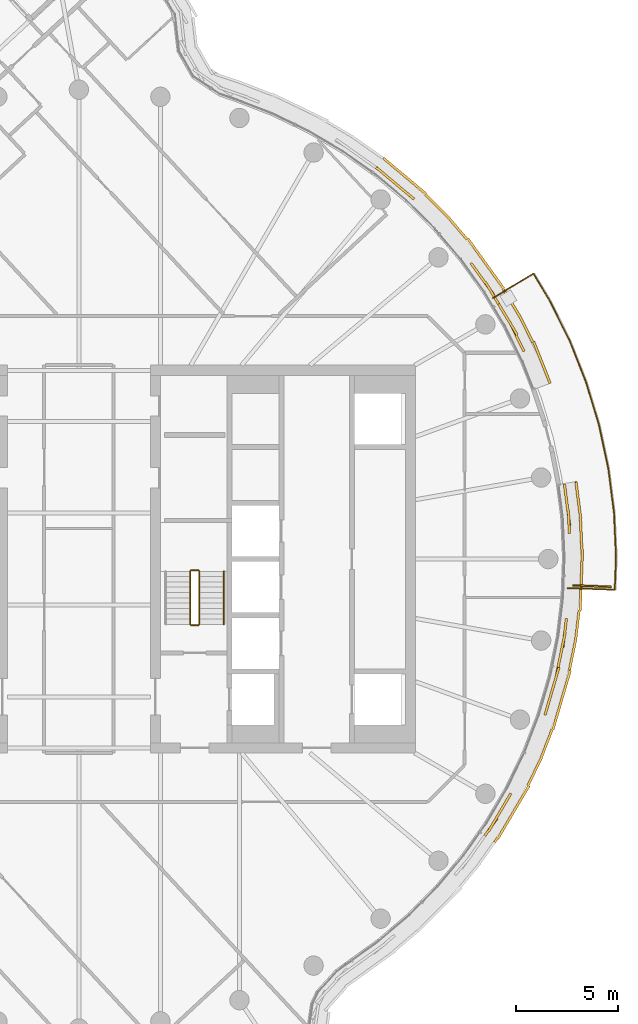
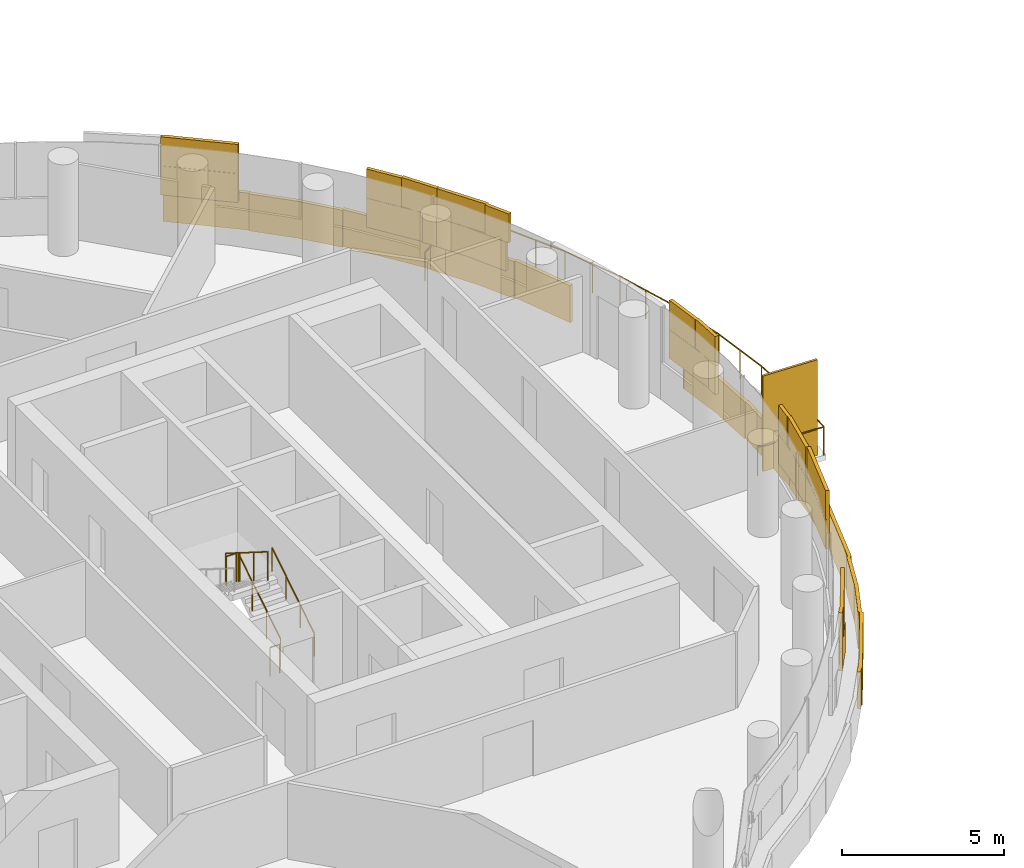
# One storey, part 31 of 34: 6 railings, 4 coverings, 1 shading device.
"""IFC4 building model written with IfcOpenShell, lengths in metres."""

from ifc_helpers import new_model, si_unit, direction, frame, origin, origin_2d, place, context, subcontext, project, spatial, rectangle, circle, extrude, material, layer, layer_set, type_object, element, save


model = new_model("IFC4")

# Units and contexts
model_context = context("Model", 3, precision=1e-05, world=origin(), true_north=direction((0.0, 1.0)))
body_context = subcontext(model_context, "Body", "Model", "MODEL_VIEW")
ifc_project = project(units=[si_unit("LENGTHUNIT", "METRE"), si_unit("AREAUNIT", "SQUARE_METRE"), si_unit("VOLUMEUNIT", "CUBIC_METRE"), si_unit("PLANEANGLEUNIT", "RADIAN"), si_unit("MASSUNIT", "GRAM", prefix="KILO")], contexts=[model_context])

# Site, building, storey
site_placement = place(None, origin())
site = spatial("IfcSite", under=ifc_project, at=site_placement, CompositionType="ELEMENT")
building_placement = place(site_placement, origin())
building = spatial("IfcBuilding", under=site, at=building_placement, Name="Tamarind Cross Interchange Tower", CompositionType="ELEMENT")
storey_placement = place(building_placement, frame((0.0, 0.0, 189.699951171875)))
storey = spatial("IfcBuildingStorey", under=building, at=storey_placement, Name="L47", CompositionType="ELEMENT", Elevation=189.699951171875)

# Railing
ifc_material_1 = material(Name="Stainless steel and laminated glass", Category="steel")
railing_type_1 = type_object("IfcRailingType", Name="Balcony guard", PredefinedType="BALUSTRADE", material=ifc_material_1)
railing_1_placement = place(storey_placement, frame((23.939208984375, -1.41943359375, 0.0)))
element("IfcRailing", 1, at=railing_1_placement, inside=storey, type_object=railing_type_1, Name="Balcony guard 02", PredefinedType="BALUSTRADE", context=body_context, shape_type="SweptSolid", body=[
    extrude(circle(Radius=0.02490234375, at=origin_2d()), frame((0.0, 0.0, 1.0751953125), z_axis=(0.999313824397, -0.037038903463, 0.0), x_axis=(0.037038903463, 0.999313824397, 0.0)), (0.0, 0.0, 1.0), 2.3203125),
    extrude(circle(Radius=0.02490234375, at=origin_2d()), frame((2.318603515625, -0.0859375, 1.0751953125), z_axis=(0.036928038041, 0.999317927392, 0.0), x_axis=(-0.999317927392, 0.036928038041, 0.0)), (0.0, 0.0, 1.0), 1.619873046875),
    extrude(circle(Radius=0.02490234375, at=origin_2d()), frame((2.37841796875, 1.53271484375, 1.0751953125), z_axis=(-0.045570585979, 0.998961121212, 0.0), x_axis=(-0.998961121212, -0.045570585979, 0.0)), (0.0, 0.0, 1.0), 2.175048828125),
    extrude(circle(Radius=0.02490234375, at=origin_2d()), frame((2.279296875, 3.70556640625, 1.0751953125), z_axis=(-0.127957091824, 0.991779704699, 0.0), x_axis=(-0.991779704699, -0.127957091824, 0.0)), (0.0, 0.0, 1.0), 2.175048828125),
    extrude(circle(Radius=0.02490234375, at=origin_2d()), frame((2.0009765625, 5.86279296875, 1.0751953125), z_axis=(-0.209437106955, 0.977822119933, 0.0), x_axis=(-0.977822119933, -0.209437106955, 0.0)), (0.0, 0.0, 1.0), 2.17529296875),
    extrude(circle(Radius=0.02490234375, at=origin_2d()), frame((1.54541015625, 7.98974609375, 1.0751953125), z_axis=(-0.289468424656, 0.957187563191, 0.0), x_axis=(-0.957187563191, -0.289468424656, 0.0)), (0.0, 0.0, 1.0), 2.175048828125),
    extrude(circle(Radius=0.02490234375, at=origin_2d()), frame((0.915771484375, 10.07177734375, 1.0751953125), z_axis=(-0.367439931593, 0.930047255074, 0.0), x_axis=(-0.930047255074, -0.367439931593, 0.0)), (0.0, 0.0, 1.0), 2.17529296875),
    extrude(circle(Radius=0.02490234375, at=origin_2d()), frame((0.116455078125, 12.094970703125, 1.0751953125), z_axis=(-0.443123395184, 0.896460627491, 0.0), x_axis=(-0.896460627491, -0.443123395184, 0.0)), (0.0, 0.0, 1.0), 2.175048828125),
    extrude(circle(Radius=0.02490234375, at=origin_2d()), frame((-0.847412109375, 14.044921875, 1.0751953125), z_axis=(-0.515557480575, 0.856854996031, 0.0), x_axis=(-0.856854996031, -0.515557480575, 0.0)), (0.0, 0.0, 1.0), 1.5888671875),
    extrude(circle(Radius=0.02490234375, at=origin_2d()), frame((-1.66650390625, 15.40625, 1.0751953125), z_axis=(-0.856805053062, -0.515640476542, 0.0), x_axis=(0.515640476542, -0.856805053062, 0.0)), (0.0, 0.0, 1.0), 2.320068359375),
    extrude(circle(Radius=0.02001953125, at=origin_2d()), origin(), (0.0, 0.0, 1.0), 1.050048828125),
    extrude(circle(Radius=0.02001953125, at=origin_2d()), frame((1.1591796875, -0.04296875, 0.0)), (0.0, 0.0, 1.0), 1.050048828125),
    extrude(circle(Radius=0.02001953125, at=origin_2d()), frame((2.318603515625, -0.0859375, 0.0)), (0.0, 0.0, 1.0), 1.050048828125),
    extrude(circle(Radius=0.02001953125, at=origin_2d()), frame((2.3486328125, 0.723388671875, 0.0)), (0.0, 0.0, 1.0), 1.050048828125),
    extrude(circle(Radius=0.02001953125, at=origin_2d()), frame((2.37841796875, 1.53271484375, 0.0)), (0.0, 0.0, 1.0), 1.050048828125),
    extrude(circle(Radius=0.02001953125, at=origin_2d()), frame((2.328857421875, 2.619140625, 0.0)), (0.0, 0.0, 1.0), 1.050048828125),
    extrude(circle(Radius=0.02001953125, at=origin_2d()), frame((2.279296875, 3.70556640625, 0.0)), (0.0, 0.0, 1.0), 1.050048828125),
    extrude(circle(Radius=0.02001953125, at=origin_2d()), frame((2.14013671875, 4.7841796875, 0.0)), (0.0, 0.0, 1.0), 1.050048828125),
    extrude(circle(Radius=0.02001953125, at=origin_2d()), frame((2.0009765625, 5.86279296875, 0.0)), (0.0, 0.0, 1.0), 1.050048828125),
    extrude(circle(Radius=0.02001953125, at=origin_2d()), frame((1.773193359375, 6.92626953125, 0.0)), (0.0, 0.0, 1.0), 1.050048828125),
    extrude(circle(Radius=0.02001953125, at=origin_2d()), frame((1.54541015625, 7.98974609375, 0.0)), (0.0, 0.0, 1.0), 1.050048828125),
    extrude(circle(Radius=0.02001953125, at=origin_2d()), frame((1.23046875, 9.03076171875, 0.0)), (0.0, 0.0, 1.0), 1.050048828125),
    extrude(circle(Radius=0.02001953125, at=origin_2d()), frame((0.915771484375, 10.07177734375, 0.0)), (0.0, 0.0, 1.0), 1.050048828125),
    extrude(circle(Radius=0.02001953125, at=origin_2d()), frame((0.51611328125, 11.08349609375, 0.0)), (0.0, 0.0, 1.0), 1.050048828125),
    extrude(circle(Radius=0.02001953125, at=origin_2d()), frame((0.116455078125, 12.094970703125, 0.0)), (0.0, 0.0, 1.0), 1.050048828125),
    extrude(circle(Radius=0.02001953125, at=origin_2d()), frame((-0.365478515625, 13.06982421875, 0.0)), (0.0, 0.0, 1.0), 1.050048828125),
    extrude(circle(Radius=0.02001953125, at=origin_2d()), frame((-0.847412109375, 14.044921875, 0.0)), (0.0, 0.0, 1.0), 1.050048828125),
    extrude(circle(Radius=0.02001953125, at=origin_2d()), frame((-1.2568359375, 14.7255859375, 0.0)), (0.0, 0.0, 1.0), 1.050048828125),
    extrude(circle(Radius=0.02001953125, at=origin_2d()), frame((-1.66650390625, 15.40625, 0.0)), (0.0, 0.0, 1.0), 1.050048828125),
    extrude(circle(Radius=0.02001953125, at=origin_2d()), frame((-2.660400390625, 14.80810546875, 0.0)), (0.0, 0.0, 1.0), 1.050048828125),
    extrude(circle(Radius=0.02001953125, at=origin_2d()), frame((-3.654296875, 14.2099609375, 0.0)), (0.0, 0.0, 1.0), 1.050048828125),
])

# Shading device
ifc_material_2 = material(Name="Bronze-finish aluminium louvre", Category="aluminium")
ifc_layer_1 = layer(ifc_material_2, 0.080078125)
ifc_layer_set_1 = layer_set([ifc_layer_1], Name="Bronze-finish aluminium louvre")
shading_device_type = type_object("IfcShadingDeviceType", Name="Operable louvre bay", PredefinedType="JALOUSIE", material=ifc_layer_set_1)
shading_device_placement = place(storey_placement, origin())
element("IfcShadingDevice", 2, at=shading_device_placement, inside=storey, type_object=shading_device_type, Name="LVR-L47-BAL02", PredefinedType="JALOUSIE", context=body_context, shape_type="SweptSolid", body=[
    extrude(rectangle(XDim=1.89990234375, YDim=0.080078125, at=origin_2d()), frame((25.1435546875, -1.323974609375, 0.0), z_axis=(0.0, 0.0, 1.0), x_axis=(0.999314350871, -0.037024696392, 0.0)), (0.0, 0.0, 1.0), 3.60009765625),
])

# Railings
ifc_material_3 = material(Name="Stair guard")
railing_type_2 = type_object("IfcRailingType", Name="Stair guard", PredefinedType="GUARDRAIL", material=ifc_material_3)
railing_2_placement = place(storey_placement, frame((5.89990234375, -3.199951171875, 0.16357421875)))
element("IfcRailing", 3, at=railing_2_placement, inside=storey, type_object=railing_type_2, Name="L47 ST2 stair guard 1", PredefinedType="GUARDRAIL", context=body_context, shape_type="SweptSolid", body=[
    extrude(circle(Radius=0.02392578125, at=origin_2d()), frame((0.0, 0.0, 1.076171875), z_axis=(0.0, 0.846301844409, 0.532703658848), x_axis=(-1.0, 0.0, 0.0)), (0.0, 0.0, 1.0), 3.072021484375),
    extrude(circle(Radius=0.02099609375, at=origin_2d()), origin(), (0.0, 0.0, 1.0), 1.052001953125),
    extrude(circle(Radius=0.02099609375, at=origin_2d()), frame((0.0, 0.86669921875, 0.54541015625)), (0.0, 0.0, 1.0), 1.052001953125),
    extrude(circle(Radius=0.02099609375, at=origin_2d()), frame((0.0, 1.733154296875, 1.091064453125)), (0.0, 0.0, 1.0), 1.052001953125),
    extrude(circle(Radius=0.02099609375, at=origin_2d()), frame((0.0, 2.599853515625, 1.636474609375)), (0.0, 0.0, 1.0), 1.052001953125),
])
railing_3_placement = place(storey_placement, frame((5.85009765625, -0.550048828125, 1.800048828125)))
element("IfcRailing", 4, at=railing_3_placement, inside=storey, type_object=railing_type_2, Name="L47 ST2 stair guard 2", PredefinedType="GUARDRAIL", context=body_context, shape_type="SweptSolid", body=[
    extrude(circle(Radius=0.02392578125, at=origin_2d()), frame((0.0, 0.0, 1.076171875), z_axis=(-1.0, 0.0, 0.0), x_axis=(0.0, -1.0, 0.0)), (0.0, 0.0, 1.0), 0.35009765625),
    extrude(circle(Radius=0.02099609375, at=origin_2d()), origin(), (0.0, 0.0, 1.0), 1.052001953125),
    extrude(circle(Radius=0.02099609375, at=origin_2d()), frame((-0.35009765625, 0.0, 0.0)), (0.0, 0.0, 1.0), 1.052001953125),
])
railing_4_placement = place(storey_placement, frame((5.449951171875, -0.60009765625, 1.963623046875)))
element("IfcRailing", 5, at=railing_4_placement, inside=storey, type_object=railing_type_2, Name="L47 ST2 stair guard 3", PredefinedType="GUARDRAIL", context=body_context, shape_type="SweptSolid", body=[
    extrude(circle(Radius=0.02392578125, at=origin_2d()), frame((0.0, 0.0, 1.076171875), z_axis=(0.0, -0.846301844409, 0.532703658848), x_axis=(1.0, 0.0, 0.0)), (0.0, 0.0, 1.0), 3.072021484375),
    extrude(circle(Radius=0.02099609375, at=origin_2d()), origin(), (0.0, 0.0, 1.0), 1.052001953125),
    extrude(circle(Radius=0.02099609375, at=origin_2d()), frame((0.0, -0.86669921875, 0.54541015625)), (0.0, 0.0, 1.0), 1.052001953125),
    extrude(circle(Radius=0.02099609375, at=origin_2d()), frame((0.0, -1.733154296875, 1.091064453125)), (0.0, 0.0, 1.0), 1.052001953125),
    extrude(circle(Radius=0.02099609375, at=origin_2d()), frame((0.0, -2.599853515625, 1.636474609375)), (0.0, 0.0, 1.0), 1.052001953125),
])
railing_5_placement = place(storey_placement, frame((5.85009765625, -3.25, 0.0)))
element("IfcRailing", 6, at=railing_5_placement, inside=storey, type_object=railing_type_2, Name="L47 ST2 stair guard 4", PredefinedType="GUARDRAIL", context=body_context, shape_type="SweptSolid", body=[
    extrude(circle(Radius=0.02392578125, at=origin_2d()), frame((0.0, 0.0, 1.076171875), z_axis=(-1.0, 0.0, 0.0), x_axis=(0.0, -1.0, 0.0)), (0.0, 0.0, 1.0), 0.35009765625),
    extrude(circle(Radius=0.02099609375, at=origin_2d()), origin(), (0.0, 0.0, 1.0), 1.052001953125),
    extrude(circle(Radius=0.02099609375, at=origin_2d()), frame((-0.35009765625, 0.0, 0.0)), (0.0, 0.0, 1.0), 1.052001953125),
])
ifc_material_4 = material(Name="Stair handrail")
railing_type_3 = type_object("IfcRailingType", Name="Stair handrail", PredefinedType="HANDRAIL", material=ifc_material_4)
railing_6_placement = place(storey_placement, frame((7.10009765625, -3.199951171875, 0.16357421875)))
element("IfcRailing", 7, at=railing_6_placement, inside=storey, type_object=railing_type_3, Name="L47 ST2 stair handrail 1", PredefinedType="HANDRAIL", context=body_context, shape_type="SweptSolid", body=[
    extrude(circle(Radius=0.02392578125, at=origin_2d()), frame((0.0, 0.0, 0.8759765625), z_axis=(0.0, 0.846301844409, 0.532703658848), x_axis=(-1.0, 0.0, 0.0)), (0.0, 0.0, 1.0), 3.072021484375),
    extrude(circle(Radius=0.02099609375, at=origin_2d()), origin(), (0.0, 0.0, 1.0), 0.851806640625),
    extrude(circle(Radius=0.02099609375, at=origin_2d()), frame((0.0, 0.86669921875, 0.54541015625)), (0.0, 0.0, 1.0), 0.851806640625),
    extrude(circle(Radius=0.02099609375, at=origin_2d()), frame((0.0, 1.733154296875, 1.091064453125)), (0.0, 0.0, 1.0), 0.851806640625),
    extrude(circle(Radius=0.02099609375, at=origin_2d()), frame((0.0, 2.599853515625, 1.636474609375)), (0.0, 0.0, 1.0), 0.851806640625),
])

# Coverings
ifc_material_5 = material(Name="Terracotta", Category="masonry")
ifc_layer_2 = layer(ifc_material_5, 0.1201171875)
ifc_layer_set_2 = layer_set([ifc_layer_2], Name="Terracotta")
covering_type = type_object("IfcCoveringType", Name="Terracotta baguette screen unit", PredefinedType="MOLDING", material=ifc_layer_set_2)
covering_1_placement = place(storey_placement, origin())
element("IfcCovering", 8, at=covering_1_placement, inside=storey, type_object=covering_type, Name="SCR-L47-02-01", PredefinedType="MOLDING", context=body_context, shape_type="SweptSolid", body=[
    extrude(rectangle(XDim=1.046630859375, YDim=0.1201171875, at=origin_2d()), frame((20.194580078125, -13.12353515625, 1.40380859375), z_axis=(0.0, 0.0, 1.0), x_axis=(0.577568978284, 0.816341886298, 0.0)), (0.0, 0.0, 1.0), 1.092041015625),
    extrude(rectangle(XDim=1.39453125, YDim=0.1201171875, at=origin_2d()), frame((20.81298828125, -12.082763671875, 1.40380859375), z_axis=(0.0, 0.0, 1.0), x_axis=(0.508183308752, 0.861248933065, 0.0)), (0.0, 0.0, 1.0), 1.092041015625),
    extrude(rectangle(XDim=0.425537109375, YDim=0.1201171875, at=origin_2d()), frame((22.89697265625, -7.44091796875, 1.40380859375), z_axis=(0.0, 0.0, 1.0), x_axis=(0.281208920763, 0.95964657186, 0.0)), (0.0, 0.0, 1.0), 1.092041015625),
    extrude(rectangle(XDim=1.52001953125, YDim=0.1201171875, at=origin_2d()), frame((23.166259765625, -6.521728515625, 1.40380859375), z_axis=(0.0, 0.0, 1.0), x_axis=(0.281208920763, 0.95964657186, 0.0)), (0.0, 0.0, 1.0), 1.092041015625),
    extrude(rectangle(XDim=0.515869140625, YDim=0.1201171875, at=origin_2d()), frame((23.42724609375, -5.553955078125, 1.40380859375), z_axis=(0.0, 0.0, 1.0), x_axis=(0.201001463943, 0.9795909409, 0.0)), (0.0, 0.0, 1.0), 1.092041015625),
    extrude(rectangle(XDim=0.296630859375, YDim=0.1201171875, at=origin_2d()), frame((19.97802734375, -13.4296875, 2.50390625), z_axis=(0.0, 0.0, 1.0), x_axis=(0.577568978284, 0.816341886298, 0.0)), (0.0, 0.0, 1.0), 1.092041015625),
    extrude(rectangle(XDim=1.52001953125, YDim=0.1201171875, at=origin_2d()), frame((20.461181640625, -12.67919921875, 2.50390625), z_axis=(0.0, 0.0, 1.0), x_axis=(0.508183308752, 0.861248933065, 0.0)), (0.0, 0.0, 1.0), 1.092041015625),
    extrude(rectangle(XDim=0.64453125, YDim=0.1201171875, at=origin_2d()), frame((21.00341796875, -11.760009765625, 2.50390625), z_axis=(0.0, 0.0, 1.0), x_axis=(0.508183308752, 0.861248933065, 0.0)), (0.0, 0.0, 1.0), 1.092041015625),
    extrude(rectangle(XDim=1.175537109375, YDim=0.1201171875, at=origin_2d()), frame((23.00244140625, -7.0810546875, 2.50390625), z_axis=(0.0, 0.0, 1.0), x_axis=(0.281208920763, 0.95964657186, 0.0)), (0.0, 0.0, 1.0), 1.092041015625),
    extrude(rectangle(XDim=1.265869140625, YDim=0.1201171875, at=origin_2d()), frame((23.343017578125, -5.919189453125, 2.50390625), z_axis=(0.0, 0.0, 1.0), x_axis=(0.281208920763, 0.95964657186, 0.0)), (0.0, 0.0, 1.0), 1.092041015625),
    extrude(rectangle(XDim=0.23876953125, YDim=0.1201171875, at=origin_2d()), frame((20.438720703125, -13.7724609375, 0.00390625), z_axis=(0.0, 0.0, 1.0), x_axis=(0.577568978284, 0.816341886298, 0.0)), (0.0, 0.0, 1.0), 1.39208984375),
    extrude(rectangle(XDim=1.52001953125, YDim=0.1201171875, at=origin_2d()), frame((20.9072265625, -13.052734375, 0.00390625), z_axis=(0.0, 0.0, 1.0), x_axis=(0.508183308752, 0.861248933065, 0.0)), (0.0, 0.0, 1.0), 1.39208984375),
    extrude(rectangle(XDim=1.52001953125, YDim=0.1201171875, at=origin_2d()), frame((21.66943359375, -11.760986328125, 0.00390625), z_axis=(0.0, 0.0, 1.0), x_axis=(0.508183308752, 0.861248933065, 0.0)), (0.0, 0.0, 1.0), 1.39208984375),
    extrude(rectangle(XDim=1.52001953125, YDim=0.1201171875, at=origin_2d()), frame((22.332275390625, -10.415771484375, 0.00390625), z_axis=(0.0, 0.0, 1.0), x_axis=(0.435326231914, 0.900272776334, 0.0)), (0.0, 0.0, 1.0), 1.39208984375),
    extrude(rectangle(XDim=1.52001953125, YDim=0.1201171875, at=origin_2d()), frame((22.922607421875, -9.038330078125, 0.00390625), z_axis=(0.0, 0.0, 1.0), x_axis=(0.359495435512, 0.933146843667, 0.0)), (0.0, 0.0, 1.0), 1.39208984375),
    extrude(rectangle(XDim=1.52001953125, YDim=0.1201171875, at=origin_2d()), frame((23.439453125, -7.630859375, 0.00390625), z_axis=(0.0, 0.0, 1.0), x_axis=(0.281208920763, 0.95964657186, 0.0)), (0.0, 0.0, 1.0), 1.39208984375),
    extrude(rectangle(XDim=1.52001953125, YDim=0.1201171875, at=origin_2d()), frame((23.861328125, -6.19140625, 0.00390625), z_axis=(0.0, 0.0, 1.0), x_axis=(0.281208920763, 0.95964657186, 0.0)), (0.0, 0.0, 1.0), 1.39208984375),
    extrude(rectangle(XDim=0.03955078125, YDim=0.1201171875, at=origin_2d()), frame((24.0341796875, -5.4521484375, 0.00390625), z_axis=(0.0, 0.0, 1.0), x_axis=(0.201001463943, 0.9795909409, 0.0)), (0.0, 0.0, 1.0), 1.39208984375),
])
covering_2_placement = place(storey_placement, origin())
element("IfcCovering", 9, at=covering_2_placement, inside=storey, type_object=covering_type, Name="SCR-L47-02-02", PredefinedType="MOLDING", context=body_context, shape_type="SweptSolid", body=[
    extrude(rectangle(XDim=1.004150390625, YDim=0.1201171875, at=origin_2d()), frame((23.577880859375, -4.8193359375, 1.40380859375), z_axis=(0.0, 0.0, 1.0), x_axis=(0.201001463943, 0.9795909409, 0.0)), (0.0, 0.0, 1.0), 1.092041015625),
    extrude(rectangle(XDim=1.4375, YDim=0.1201171875, at=origin_2d()), frame((23.80224609375, -3.630126953125, 1.40380859375), z_axis=(0.0, 0.0, 1.0), x_axis=(0.119420963295, 0.992843710523, 0.0)), (0.0, 0.0, 1.0), 1.092041015625),
    extrude(rectangle(XDim=0.382568359375, YDim=0.1201171875, at=origin_2d()), frame((24.024169921875, 1.45458984375, 1.40380859375), z_axis=(0.0, 0.0, 1.0), x_axis=(-0.045624486728, 0.998958660912, 0.0)), (0.0, 0.0, 1.0), 1.092041015625),
    extrude(rectangle(XDim=1.52001953125, YDim=0.1201171875, at=origin_2d()), frame((23.956787109375, 2.3876953125, 1.40380859375), z_axis=(0.0, 0.0, 1.0), x_axis=(-0.127962008342, 0.991779070368, 0.0)), (0.0, 0.0, 1.0), 1.092041015625),
    extrude(rectangle(XDim=0.55908203125, YDim=0.1201171875, at=origin_2d()), frame((23.82568359375, 3.40380859375, 1.40380859375), z_axis=(0.0, 0.0, 1.0), x_axis=(-0.127962008342, 0.991779070368, 0.0)), (0.0, 0.0, 1.0), 1.092041015625),
    extrude(rectangle(XDim=0.254150390625, YDim=0.1201171875, at=origin_2d()), frame((23.502685546875, -5.186767578125, 2.50390625), z_axis=(0.0, 0.0, 1.0), x_axis=(0.201001463943, 0.9795909409, 0.0)), (0.0, 0.0, 1.0), 1.092041015625),
    extrude(rectangle(XDim=1.52001953125, YDim=0.1201171875, at=origin_2d()), frame((23.677978515625, -4.33251953125, 2.50390625), z_axis=(0.0, 0.0, 1.0), x_axis=(0.201001463943, 0.9795909409, 0.0)), (0.0, 0.0, 1.0), 1.092041015625),
    extrude(rectangle(XDim=0.6875, YDim=0.1201171875, at=origin_2d()), frame((23.84716796875, -3.2578125, 2.50390625), z_axis=(0.0, 0.0, 1.0), x_axis=(0.119420963295, 0.992843710523, 0.0)), (0.0, 0.0, 1.0), 1.092041015625),
    extrude(rectangle(XDim=1.132568359375, YDim=0.1201171875, at=origin_2d()), frame((24.007080078125, 1.8291015625, 2.50390625), z_axis=(0.0, 0.0, 1.0), x_axis=(-0.045624486728, 0.998958660912, 0.0)), (0.0, 0.0, 1.0), 1.092041015625),
    extrude(rectangle(XDim=1.30908203125, YDim=0.1201171875, at=origin_2d()), frame((23.873779296875, 3.031982421875, 2.50390625), z_axis=(0.0, 0.0, 1.0), x_axis=(-0.127962008342, 0.991779070368, 0.0)), (0.0, 0.0, 1.0), 1.092041015625),
    extrude(rectangle(XDim=1.48046875, YDim=0.1201171875, at=origin_2d()), frame((24.186767578125, -4.707763671875, 0.00390625), z_axis=(0.0, 0.0, 1.0), x_axis=(0.201001463943, 0.9795909409, 0.0)), (0.0, 0.0, 1.0), 1.39208984375),
    extrude(rectangle(XDim=1.52001953125, YDim=0.1201171875, at=origin_2d()), frame((24.42626953125, -3.248291015625, 0.00390625), z_axis=(0.0, 0.0, 1.0), x_axis=(0.119420963295, 0.992843710523, 0.0)), (0.0, 0.0, 1.0), 1.39208984375),
    extrude(rectangle(XDim=1.52001953125, YDim=0.1201171875, at=origin_2d()), frame((24.59130859375, -1.7578125, 0.00390625), z_axis=(0.0, 0.0, 1.0), x_axis=(0.037024696392, 0.999314350871, 0.0)), (0.0, 0.0, 1.0), 1.39208984375),
    extrude(rectangle(XDim=1.52001953125, YDim=0.1201171875, at=origin_2d()), frame((24.646728515625, -0.2587890625, 0.00390625), z_axis=(0.0, 0.0, 1.0), x_axis=(0.037024696392, 0.999314350871, 0.0)), (0.0, 0.0, 1.0), 1.39208984375),
    extrude(rectangle(XDim=1.52001953125, YDim=0.1201171875, at=origin_2d()), frame((24.6083984375, 1.23974609375, 0.00390625), z_axis=(0.0, 0.0, 1.0), x_axis=(-0.045624486728, 0.998958660912, 0.0)), (0.0, 0.0, 1.0), 1.39208984375),
    extrude(rectangle(XDim=1.52001953125, YDim=0.1201171875, at=origin_2d()), frame((24.490966796875, 2.73388671875, 0.00390625), z_axis=(0.0, 0.0, 1.0), x_axis=(-0.127962008342, 0.991779070368, 0.0)), (0.0, 0.0, 1.0), 1.39208984375),
    extrude(rectangle(XDim=0.298583984375, YDim=0.1201171875, at=origin_2d()), frame((24.377197265625, 3.61572265625, 0.00390625), z_axis=(0.0, 0.0, 1.0), x_axis=(-0.127962008342, 0.991779070368, 0.0)), (0.0, 0.0, 1.0), 1.39208984375),
])
covering_3_placement = place(storey_placement, origin())
element("IfcCovering", 10, at=covering_3_placement, inside=storey, type_object=covering_type, Name="SCR-L47-02-03", PredefinedType="MOLDING", context=body_context, shape_type="SweptSolid", body=[
    extrude(rectangle(XDim=1.52001953125, YDim=0.1201171875, at=origin_2d()), frame((21.424072265625, 10.966796875, 1.40380859375), z_axis=(0.0, 0.0, 1.0), x_axis=(-0.443058811505, 0.896492548518, 0.0)), (0.0, 0.0, 1.0), 1.092041015625),
    extrude(rectangle(XDim=1.01318359375, YDim=0.1201171875, at=origin_2d()), frame((20.826171875, 12.0654296875, 1.40380859375), z_axis=(0.0, 0.0, 1.0), x_axis=(-0.515577308909, 0.856843065292, 0.0)), (0.0, 0.0, 1.0), 1.092041015625),
    extrude(rectangle(XDim=0.8837890625, YDim=0.1201171875, at=origin_2d()), frame((21.61767578125, 10.5751953125, 2.50390625), z_axis=(0.0, 0.0, 1.0), x_axis=(-0.443058811505, 0.896492548518, 0.0)), (0.0, 0.0, 1.0), 1.092041015625),
    extrude(rectangle(XDim=1.52001953125, YDim=0.1201171875, at=origin_2d()), frame((21.0849609375, 11.635498046875, 2.50390625), z_axis=(0.0, 0.0, 1.0), x_axis=(-0.515577308909, 0.856843065292, 0.0)), (0.0, 0.0, 1.0), 1.092041015625),
    extrude(rectangle(XDim=0.26318359375, YDim=0.1201171875, at=origin_2d()), frame((20.633056640625, 12.38671875, 2.50390625), z_axis=(0.0, 0.0, 1.0), x_axis=(-0.515577308909, 0.856843065292, 0.0)), (0.0, 0.0, 1.0), 1.092041015625),
    extrude(rectangle(XDim=0.03076171875, YDim=0.1201171875, at=origin_2d()), frame((24.356201171875, 3.779052734375, 0.00390625), z_axis=(0.0, 0.0, 1.0), x_axis=(-0.127962008342, 0.991779070368, 0.0)), (0.0, 0.0, 1.0), 1.39208984375),
    extrude(rectangle(XDim=0.702392578125, YDim=0.1201171875, at=origin_2d()), frame((22.96240234375, 8.93603515625, 0.00390625), z_axis=(0.0, 0.0, 1.0), x_axis=(-0.367513773146, 0.930018078613, 0.0)), (0.0, 0.0, 1.0), 1.39208984375),
    extrude(rectangle(XDim=1.52001953125, YDim=0.1201171875, at=origin_2d()), frame((22.561279296875, 9.950927734375, 0.00390625), z_axis=(0.0, 0.0, 1.0), x_axis=(-0.367513773146, 0.930018078613, 0.0)), (0.0, 0.0, 1.0), 1.39208984375),
    extrude(rectangle(XDim=1.52001953125, YDim=0.1201171875, at=origin_2d()), frame((21.90087890625, 11.29736328125, 0.00390625), z_axis=(0.0, 0.0, 1.0), x_axis=(-0.443058811505, 0.896492548518, 0.0)), (0.0, 0.0, 1.0), 1.39208984375),
    extrude(rectangle(XDim=0.97802734375, YDim=0.1201171875, at=origin_2d()), frame((21.310302734375, 12.3740234375, 0.00390625), z_axis=(0.0, 0.0, 1.0), x_axis=(-0.515577308909, 0.856843065292, 0.0)), (0.0, 0.0, 1.0), 1.39208984375),
])
covering_4_placement = place(storey_placement, origin())
element("IfcCovering", 11, at=covering_4_placement, inside=storey, type_object=covering_type, Name="SCR-L47-02-04", PredefinedType="MOLDING", context=body_context, shape_type="SweptSolid", body=[
    extrude(rectangle(XDim=0.5068359375, YDim=0.1201171875, at=origin_2d()), frame((20.439697265625, 12.7080078125, 1.40380859375), z_axis=(0.0, 0.0, 1.0), x_axis=(-0.515577308909, 0.856843065292, 0.0)), (0.0, 0.0, 1.0), 1.092041015625),
    extrude(rectangle(XDim=1.52001953125, YDim=0.1201171875, at=origin_2d()), frame((19.900390625, 13.54736328125, 1.40380859375), z_axis=(0.0, 0.0, 1.0), x_axis=(-0.584573890505, 0.811340475102, 0.0)), (0.0, 0.0, 1.0), 1.092041015625),
    extrude(rectangle(XDim=0.4345703125, YDim=0.1201171875, at=origin_2d()), frame((19.337890625, 14.328125, 1.40380859375), z_axis=(0.0, 0.0, 1.0), x_axis=(-0.584573890505, 0.811340475102, 0.0)), (0.0, 0.0, 1.0), 1.092041015625),
    extrude(rectangle(XDim=1.385498046875, YDim=0.1201171875, at=origin_2d()), frame((15.896728515625, 18.075927734375, 1.40380859375), z_axis=(0.0, 0.0, 1.0), x_axis=(-0.765858396687, 0.643009266048, 0.0)), (0.0, 0.0, 1.0), 1.092041015625),
    extrude(rectangle(XDim=1.055908203125, YDim=0.1201171875, at=origin_2d()), frame((14.969482421875, 18.8544921875, 1.40380859375), z_axis=(0.0, 0.0, 1.0), x_axis=(-0.765858396687, 0.643009266048, 0.0)), (0.0, 0.0, 1.0), 1.092041015625),
    extrude(rectangle(XDim=1.2568359375, YDim=0.1201171875, at=origin_2d()), frame((20.246337890625, 13.029296875, 2.50390625), z_axis=(0.0, 0.0, 1.0), x_axis=(-0.515577308909, 0.856843065292, 0.0)), (0.0, 0.0, 1.0), 1.092041015625),
    extrude(rectangle(XDim=1.1845703125, YDim=0.1201171875, at=origin_2d()), frame((19.55712890625, 14.02392578125, 2.50390625), z_axis=(0.0, 0.0, 1.0), x_axis=(-0.584573890505, 0.811340475102, 0.0)), (0.0, 0.0, 1.0), 1.092041015625),
    extrude(rectangle(XDim=0.635498046875, YDim=0.1201171875, at=origin_2d()), frame((16.18408203125, 17.8349609375, 2.50390625), z_axis=(0.0, 0.0, 1.0), x_axis=(-0.765858396687, 0.643009266048, 0.0)), (0.0, 0.0, 1.0), 1.092041015625),
    extrude(rectangle(XDim=1.52001953125, YDim=0.1201171875, at=origin_2d()), frame((15.3701171875, 18.518310546875, 2.50390625), z_axis=(0.0, 0.0, 1.0), x_axis=(-0.765858396687, 0.643009266048, 0.0)), (0.0, 0.0, 1.0), 1.092041015625),
    extrude(rectangle(XDim=0.305908203125, YDim=0.1201171875, at=origin_2d()), frame((14.680419921875, 19.093017578125, 2.50390625), z_axis=(0.0, 0.0, 1.0), x_axis=(-0.816341886298, 0.577568978284, 0.0)), (0.0, 0.0, 1.0), 1.092041015625),
    extrude(rectangle(XDim=0.5419921875, YDim=0.1201171875, at=origin_2d()), frame((20.91845703125, 13.025390625, 0.00390625), z_axis=(0.0, 0.0, 1.0), x_axis=(-0.515577308909, 0.856843065292, 0.0)), (0.0, 0.0, 1.0), 1.39208984375),
    extrude(rectangle(XDim=1.52001953125, YDim=0.1201171875, at=origin_2d()), frame((20.371826171875, 13.874755859375, 0.00390625), z_axis=(0.0, 0.0, 1.0), x_axis=(-0.584573890505, 0.811340475102, 0.0)), (0.0, 0.0, 1.0), 1.39208984375),
    extrude(rectangle(XDim=1.52001953125, YDim=0.1201171875, at=origin_2d()), frame((19.4951171875, 15.091796875, 0.00390625), z_axis=(0.0, 0.0, 1.0), x_axis=(-0.584573890505, 0.811340475102, 0.0)), (0.0, 0.0, 1.0), 1.39208984375),
    extrude(rectangle(XDim=1.52001953125, YDim=0.1201171875, at=origin_2d()), frame((18.53173828125, 16.240966796875, 0.00390625), z_axis=(0.0, 0.0, 1.0), x_axis=(-0.64957723968, 0.760295606781, 0.0)), (0.0, 0.0, 1.0), 1.39208984375),
    extrude(rectangle(XDim=1.52001953125, YDim=0.1201171875, at=origin_2d()), frame((17.509521484375, 17.3369140625, 0.00390625), z_axis=(0.0, 0.0, 1.0), x_axis=(-0.710143317658, 0.704057148523, 0.0)), (0.0, 0.0, 1.0), 1.39208984375),
    extrude(rectangle(XDim=1.52001953125, YDim=0.1201171875, at=origin_2d()), frame((16.43017578125, 18.377685546875, 0.00390625), z_axis=(0.0, 0.0, 1.0), x_axis=(-0.765858396687, 0.643009266048, 0.0)), (0.0, 0.0, 1.0), 1.39208984375),
    extrude(rectangle(XDim=1.236328125, YDim=0.1201171875, at=origin_2d()), frame((15.39013671875, 19.2509765625, 0.00390625), z_axis=(0.0, 0.0, 1.0), x_axis=(-0.765858396687, 0.643009266048, 0.0)), (0.0, 0.0, 1.0), 1.39208984375),
])

save(model, "model.ifc")
